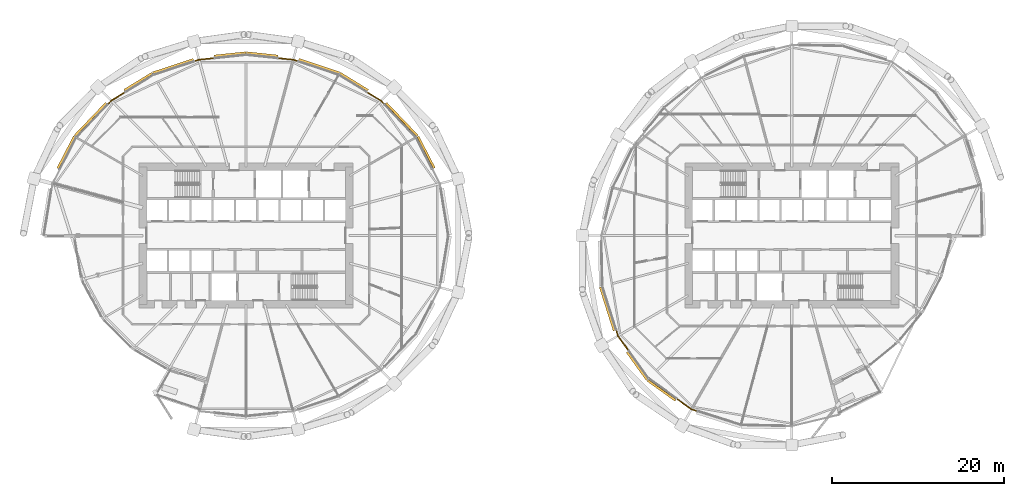
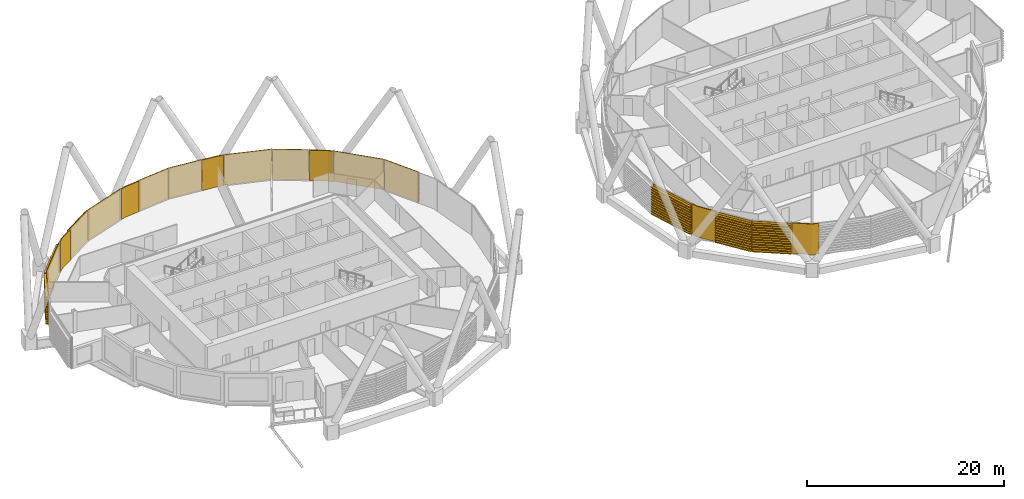
# One storey, part 32 of 36: 19 coverings.
"""IFC4 building model written with IfcOpenShell, lengths in metres."""

from ifc_helpers import new_model, si_unit, direction, frame, origin, place, context, subcontext, project, spatial, polyline, outline, extrude, material, layer, layer_set, material_profile, profile_set, type_object, element, save


model = new_model("IFC4")

# Units and contexts
model_context = context("Model", 3, precision=1e-05, world=origin(), true_north=direction((0.0, 1.0)))
body_context = subcontext(model_context, "Body", "Model", "MODEL_VIEW")
ifc_project = project(units=[si_unit("LENGTHUNIT", "METRE"), si_unit("AREAUNIT", "SQUARE_METRE"), si_unit("VOLUMEUNIT", "CUBIC_METRE"), si_unit("PLANEANGLEUNIT", "RADIAN"), si_unit("MASSUNIT", "GRAM", prefix="KILO")], contexts=[model_context])

# Site, building, storey
site_placement = place(None, origin())
site = spatial("IfcSite", under=ifc_project, at=site_placement, CompositionType="ELEMENT")
building_placement = place(site_placement, origin())
building = spatial("IfcBuilding", under=site, at=building_placement, Name="Rimbun Link Towers", CompositionType="ELEMENT")
storey_placement = place(building_placement, frame((0.0, 0.0, 64.199951171875)))
storey = spatial("IfcBuildingStorey", under=building, at=storey_placement, Name="L15", CompositionType="ELEMENT", Elevation=64.199951171875)

# Coverings
ifc_material_1 = material(Name="Terracotta", Category="masonry")
ifc_layer = layer(ifc_material_1, 0.1201171875)
ifc_layer_set = layer_set([ifc_layer], Name="LINK PIER terracotta cladding 120")
covering_type_1 = type_object("IfcCoveringType", Name="LINK PIER terracotta cladding 120", PredefinedType="CLADDING", material=ifc_layer_set)
covering_1_placement = place(storey_placement, origin())
element("IfcCovering", 1, at=covering_1_placement, inside=storey, type_object=covering_type_1, Name="LINK PIER cladding", PredefinedType="CLADDING", context=body_context, shape_type="SweptSolid", body=[
    extrude(outline(polyline([(-17.696044921875, 16.6259765625), (-16.102294921875, 15.647705078125), (-15.7080078125, 15.236083984375), (-15.621337890625, 15.319091796875), (-16.0263671875, 15.74169921875), (-17.63330078125, 16.728271484375), (-17.696044921875, 16.6259765625)])), origin(), (0.0, 0.0, 1.0), 3.800048828125),
])
covering_2_placement = place(storey_placement, origin())
element("IfcCovering", 2, at=covering_2_placement, inside=storey, type_object=covering_type_1, Name="LINK PIER cladding", PredefinedType="CLADDING", context=body_context, shape_type="SweptSolid", body=[
    extrude(outline(polyline([(-28.043701171875, 20.586669921875), (-26.283447265625, 20.4013671875), (-25.742431640625, 20.221923828125), (-25.70458984375, 20.3359375), (-26.258056640625, 20.519287109375), (-28.03125, 20.7060546875), (-28.043701171875, 20.586669921875)])), origin(), (0.0, 0.0, 1.0), 3.800048828125),
])
covering_3_placement = place(storey_placement, origin())
element("IfcCovering", 3, at=covering_3_placement, inside=storey, type_object=covering_type_1, Name="LINK PIER cladding", PredefinedType="CLADDING", context=body_context, shape_type="SweptSolid", body=[
    extrude(outline(polyline([(-37.757568359375, 20.221923828125), (-37.216552734375, 20.4013671875), (-35.456298828125, 20.586669921875), (-35.46875, 20.7060546875), (-37.241943359375, 20.519287109375), (-37.79541015625, 20.3359375), (-37.757568359375, 20.221923828125)])), origin(), (0.0, 0.0, 1.0), 3.800048828125),
])
covering_4_placement = place(storey_placement, origin())
element("IfcCovering", 4, at=covering_4_placement, inside=storey, type_object=covering_type_1, Name="LINK PIER cladding", PredefinedType="CLADDING", context=body_context, shape_type="SweptSolid", body=[
    extrude(outline(polyline([(-47.7919921875, 15.236083984375), (-47.397705078125, 15.647705078125), (-45.803955078125, 16.6259765625), (-45.86669921875, 16.728271484375), (-47.4736328125, 15.74169921875), (-47.878662109375, 15.319091796875), (-47.7919921875, 15.236083984375)])), origin(), (0.0, 0.0, 1.0), 3.800048828125),
])
covering_5_placement = place(storey_placement, origin())
element("IfcCovering", 5, at=covering_5_placement, inside=storey, type_object=covering_type_1, Name="LINK PIER cladding", PredefinedType="CLADDING", context=body_context, shape_type="SweptSolid", body=[
    extrude(outline(polyline([(12.810546875, -13.370849609375), (11.574462890625, -11.648193359375), (11.371337890625, -11.009765625), (11.257080078125, -11.046142578125), (11.4658203125, -11.702880859375), (12.712890625, -13.440673828125), (12.810546875, -13.370849609375)])), origin(), (0.0, 0.0, 1.0), 3.800048828125),
])
covering_6_placement = place(storey_placement, origin())
element("IfcCovering", 6, at=covering_6_placement, inside=storey, type_object=covering_type_1, Name="LINK PIER cladding", PredefinedType="CLADDING", context=body_context, shape_type="SweptSolid", body=[
    extrude(outline(polyline([(20.740234375, -20.378662109375), (20.101806640625, -20.175537109375), (18.419921875, -18.96875), (18.349853515625, -19.066162109375), (20.047119140625, -20.2841796875), (20.703857421875, -20.492919921875), (20.740234375, -20.378662109375)])), origin(), (0.0, 0.0, 1.0), 3.800048828125),
])
ifc_material_2 = material(Name="Terracotta", Category="masonry")
ifc_material_profile = material_profile(ifc_material_2, outline(polyline([(0.123046875, 0.0), (0.1630859375, 0.0), (0.1630859375, 0.10009765625), (0.423095703125, 0.10009765625), (0.423095703125, 0.219970703125), (0.1630859375, 0.219970703125), (0.1630859375, 0.39990234375), (0.423095703125, 0.39990234375), (0.423095703125, 0.52001953125), (0.1630859375, 0.52001953125), (0.1630859375, 0.699951171875), (0.423095703125, 0.699951171875), (0.423095703125, 0.820068359375), (0.1630859375, 0.820068359375), (0.1630859375, 1.0), (0.423095703125, 1.0), (0.423095703125, 1.1201171875), (0.1630859375, 1.1201171875), (0.1630859375, 1.300048828125), (0.423095703125, 1.300048828125), (0.423095703125, 1.419921875), (0.1630859375, 1.419921875), (0.1630859375, 1.60009765625), (0.423095703125, 1.60009765625), (0.423095703125, 1.719970703125), (0.1630859375, 1.719970703125), (0.1630859375, 1.89990234375), (0.423095703125, 1.89990234375), (0.423095703125, 2.02001953125), (0.1630859375, 2.02001953125), (0.1630859375, 2.199951171875), (0.423095703125, 2.199951171875), (0.423095703125, 2.320068359375), (0.1630859375, 2.320068359375), (0.1630859375, 2.5), (0.423095703125, 2.5), (0.423095703125, 2.6201171875), (0.1630859375, 2.6201171875), (0.1630859375, 2.800048828125), (0.423095703125, 2.800048828125), (0.423095703125, 2.919921875), (0.1630859375, 2.919921875), (0.1630859375, 3.10009765625), (0.423095703125, 3.10009765625), (0.423095703125, 3.219970703125), (0.1630859375, 3.219970703125), (0.1630859375, 3.39990234375), (0.423095703125, 3.39990234375), (0.423095703125, 3.52001953125), (0.1630859375, 3.52001953125), (0.1630859375, 3.800048828125), (0.123046875, 3.800048828125), (0.123046875, 0.0)])), Name="BAGUETTE 120X300")
ifc_profile_set = profile_set([ifc_material_profile], Name="Terracotta")
covering_type_2 = type_object("IfcCoveringType", Name="TERRACOTTA BAGUETTE 120X300 H3800", PredefinedType="CLADDING", material=ifc_profile_set)
covering_7_placement = place(storey_placement, frame((-12.02099609375, 11.390380859375, 0.0), z_axis=(0.459543354424, -0.888155338556, 0.0), x_axis=(0.888155338556, 0.459543354424, 0.0)))
element("IfcCovering", 7, at=covering_7_placement, inside=storey, type_object=covering_type_2, Name="TERRACOTTA BAGUETTE", PredefinedType="CLADDING", context=body_context, shape_type="SweptSolid", body=[
    extrude(outline(polyline([(0.123046875, 0.0), (0.1630859375, 0.0), (0.1630859375, 0.10009765625), (0.423095703125, 0.10009765625), (0.423095703125, 0.219970703125), (0.1630859375, 0.219970703125), (0.1630859375, 0.39990234375), (0.423095703125, 0.39990234375), (0.423095703125, 0.52001953125), (0.1630859375, 0.52001953125), (0.1630859375, 0.699951171875), (0.423095703125, 0.699951171875), (0.423095703125, 0.820068359375), (0.1630859375, 0.820068359375), (0.1630859375, 1.0), (0.423095703125, 1.0), (0.423095703125, 1.1201171875), (0.1630859375, 1.1201171875), (0.1630859375, 1.300048828125), (0.423095703125, 1.300048828125), (0.423095703125, 1.419921875), (0.1630859375, 1.419921875), (0.1630859375, 1.60009765625), (0.423095703125, 1.60009765625), (0.423095703125, 1.719970703125), (0.1630859375, 1.719970703125), (0.1630859375, 1.89990234375), (0.423095703125, 1.89990234375), (0.423095703125, 2.02001953125), (0.1630859375, 2.02001953125), (0.1630859375, 2.199951171875), (0.423095703125, 2.199951171875), (0.423095703125, 2.320068359375), (0.1630859375, 2.320068359375), (0.1630859375, 2.5), (0.423095703125, 2.5), (0.423095703125, 2.6201171875), (0.1630859375, 2.6201171875), (0.1630859375, 2.800048828125), (0.423095703125, 2.800048828125), (0.423095703125, 2.919921875), (0.1630859375, 2.919921875), (0.1630859375, 3.10009765625), (0.423095703125, 3.10009765625), (0.423095703125, 3.219970703125), (0.1630859375, 3.219970703125), (0.1630859375, 3.39990234375), (0.423095703125, 3.39990234375), (0.423095703125, 3.52001953125), (0.1630859375, 3.52001953125), (0.1630859375, 3.800048828125), (0.123046875, 3.800048828125), (0.123046875, 0.0)])), origin(), (0.0, 0.0, 1.0), 4.135986328125),
])
covering_8_placement = place(storey_placement, frame((-15.687255859375, 15.214599609375, 0.0), z_axis=(0.6920414756, -0.721857739482, 0.0), x_axis=(0.721857739482, 0.6920414756, 0.0)))
element("IfcCovering", 8, at=covering_8_placement, inside=storey, type_object=covering_type_2, Name="TERRACOTTA BAGUETTE", PredefinedType="CLADDING", context=body_context, shape_type="SweptSolid", body=[
    extrude(outline(polyline([(0.123046875, 0.0), (0.1630859375, 0.0), (0.1630859375, 0.10009765625), (0.423095703125, 0.10009765625), (0.423095703125, 0.219970703125), (0.1630859375, 0.219970703125), (0.1630859375, 0.39990234375), (0.423095703125, 0.39990234375), (0.423095703125, 0.52001953125), (0.1630859375, 0.52001953125), (0.1630859375, 0.699951171875), (0.423095703125, 0.699951171875), (0.423095703125, 0.820068359375), (0.1630859375, 0.820068359375), (0.1630859375, 1.0), (0.423095703125, 1.0), (0.423095703125, 1.1201171875), (0.1630859375, 1.1201171875), (0.1630859375, 1.300048828125), (0.423095703125, 1.300048828125), (0.423095703125, 1.419921875), (0.1630859375, 1.419921875), (0.1630859375, 1.60009765625), (0.423095703125, 1.60009765625), (0.423095703125, 1.719970703125), (0.1630859375, 1.719970703125), (0.1630859375, 1.89990234375), (0.423095703125, 1.89990234375), (0.423095703125, 2.02001953125), (0.1630859375, 2.02001953125), (0.1630859375, 2.199951171875), (0.423095703125, 2.199951171875), (0.423095703125, 2.320068359375), (0.1630859375, 2.320068359375), (0.1630859375, 2.5), (0.423095703125, 2.5), (0.423095703125, 2.6201171875), (0.1630859375, 2.6201171875), (0.1630859375, 2.800048828125), (0.423095703125, 2.800048828125), (0.423095703125, 2.919921875), (0.1630859375, 2.919921875), (0.1630859375, 3.10009765625), (0.423095703125, 3.10009765625), (0.423095703125, 3.219970703125), (0.1630859375, 3.219970703125), (0.1630859375, 3.39990234375), (0.423095703125, 3.39990234375), (0.423095703125, 3.52001953125), (0.1630859375, 3.52001953125), (0.1630859375, 3.800048828125), (0.123046875, 3.800048828125), (0.123046875, 0.0)])), origin(), (0.0, 0.0, 1.0), 5.2978515625),
])
covering_9_placement = place(storey_placement, frame((-20.985107421875, 18.6455078125, 0.0), z_axis=(0.852211619155, -0.523197244046, 0.0), x_axis=(0.523197244046, 0.852211619155, 0.0)))
element("IfcCovering", 9, at=covering_9_placement, inside=storey, type_object=covering_type_2, Name="TERRACOTTA BAGUETTE", PredefinedType="CLADDING", context=body_context, shape_type="SweptSolid", body=[
    extrude(outline(polyline([(0.123046875, 0.0), (0.1630859375, 0.0), (0.1630859375, 0.10009765625), (0.423095703125, 0.10009765625), (0.423095703125, 0.219970703125), (0.1630859375, 0.219970703125), (0.1630859375, 0.39990234375), (0.423095703125, 0.39990234375), (0.423095703125, 0.52001953125), (0.1630859375, 0.52001953125), (0.1630859375, 0.699951171875), (0.423095703125, 0.699951171875), (0.423095703125, 0.820068359375), (0.1630859375, 0.820068359375), (0.1630859375, 1.0), (0.423095703125, 1.0), (0.423095703125, 1.1201171875), (0.1630859375, 1.1201171875), (0.1630859375, 1.300048828125), (0.423095703125, 1.300048828125), (0.423095703125, 1.419921875), (0.1630859375, 1.419921875), (0.1630859375, 1.60009765625), (0.423095703125, 1.60009765625), (0.423095703125, 1.719970703125), (0.1630859375, 1.719970703125), (0.1630859375, 1.89990234375), (0.423095703125, 1.89990234375), (0.423095703125, 2.02001953125), (0.1630859375, 2.02001953125), (0.1630859375, 2.199951171875), (0.423095703125, 2.199951171875), (0.423095703125, 2.320068359375), (0.1630859375, 2.320068359375), (0.1630859375, 2.5), (0.423095703125, 2.5), (0.423095703125, 2.6201171875), (0.1630859375, 2.6201171875), (0.1630859375, 2.800048828125), (0.423095703125, 2.800048828125), (0.423095703125, 2.919921875), (0.1630859375, 2.919921875), (0.1630859375, 3.10009765625), (0.423095703125, 3.10009765625), (0.423095703125, 3.219970703125), (0.1630859375, 3.219970703125), (0.1630859375, 3.39990234375), (0.423095703125, 3.39990234375), (0.423095703125, 3.52001953125), (0.1630859375, 3.52001953125), (0.1630859375, 3.800048828125), (0.123046875, 3.800048828125), (0.123046875, 0.0)])), origin(), (0.0, 0.0, 1.0), 3.82958984375),
])
covering_10_placement = place(storey_placement, frame((-25.7138671875, 20.212646484375, 0.0), z_axis=(0.949230755565, -0.314580629871, 0.0), x_axis=(0.314580629871, 0.949230755565, 0.0)))
element("IfcCovering", 10, at=covering_10_placement, inside=storey, type_object=covering_type_2, Name="TERRACOTTA BAGUETTE", PredefinedType="CLADDING", context=body_context, shape_type="SweptSolid", body=[
    extrude(outline(polyline([(0.123046875, 0.0), (0.1630859375, 0.0), (0.1630859375, 0.10009765625), (0.423095703125, 0.10009765625), (0.423095703125, 0.219970703125), (0.1630859375, 0.219970703125), (0.1630859375, 0.39990234375), (0.423095703125, 0.39990234375), (0.423095703125, 0.52001953125), (0.1630859375, 0.52001953125), (0.1630859375, 0.699951171875), (0.423095703125, 0.699951171875), (0.423095703125, 0.820068359375), (0.1630859375, 0.820068359375), (0.1630859375, 1.0), (0.423095703125, 1.0), (0.423095703125, 1.1201171875), (0.1630859375, 1.1201171875), (0.1630859375, 1.300048828125), (0.423095703125, 1.300048828125), (0.423095703125, 1.419921875), (0.1630859375, 1.419921875), (0.1630859375, 1.60009765625), (0.423095703125, 1.60009765625), (0.423095703125, 1.719970703125), (0.1630859375, 1.719970703125), (0.1630859375, 1.89990234375), (0.423095703125, 1.89990234375), (0.423095703125, 2.02001953125), (0.1630859375, 2.02001953125), (0.1630859375, 2.199951171875), (0.423095703125, 2.199951171875), (0.423095703125, 2.320068359375), (0.1630859375, 2.320068359375), (0.1630859375, 2.5), (0.423095703125, 2.5), (0.423095703125, 2.6201171875), (0.1630859375, 2.6201171875), (0.1630859375, 2.800048828125), (0.423095703125, 2.800048828125), (0.423095703125, 2.919921875), (0.1630859375, 2.919921875), (0.1630859375, 3.10009765625), (0.423095703125, 3.10009765625), (0.423095703125, 3.219970703125), (0.1630859375, 3.219970703125), (0.1630859375, 3.39990234375), (0.423095703125, 3.39990234375), (0.423095703125, 3.52001953125), (0.1630859375, 3.52001953125), (0.1630859375, 3.800048828125), (0.123046875, 3.800048828125), (0.123046875, 0.0)])), origin(), (0.0, 0.0, 1.0), 4.981689453125),
])
for number, where, z_axis, x_axis, name in (
    (11, (-31.75, 20.97705078125, 0.0), (0.994499661573, -0.104739787719, 0.0), (0.104739787719, 0.994499661573, 0.0), "TERRACOTTA BAGUETTE"),
    (12, (-35.426513671875, 20.58984375, 0.0), (0.994499661573, 0.104739787719, 0.0), (-0.104739787719, 0.994499661573, 0.0), "TERRACOTTA BAGUETTE"),
):
    element("IfcCovering", number, at=place(storey_placement, frame(where, z_axis=z_axis, x_axis=x_axis)), inside=storey, type_object=covering_type_2, Name=name, PredefinedType="CLADDING", context=body_context, shape_type="SweptSolid", body=[
        extrude(outline(polyline([(0.123046875, 0.0), (0.1630859375, 0.0), (0.1630859375, 0.10009765625), (0.423095703125, 0.10009765625), (0.423095703125, 0.219970703125), (0.1630859375, 0.219970703125), (0.1630859375, 0.39990234375), (0.423095703125, 0.39990234375), (0.423095703125, 0.52001953125), (0.1630859375, 0.52001953125), (0.1630859375, 0.699951171875), (0.423095703125, 0.699951171875), (0.423095703125, 0.820068359375), (0.1630859375, 0.820068359375), (0.1630859375, 1.0), (0.423095703125, 1.0), (0.423095703125, 1.1201171875), (0.1630859375, 1.1201171875), (0.1630859375, 1.300048828125), (0.423095703125, 1.300048828125), (0.423095703125, 1.419921875), (0.1630859375, 1.419921875), (0.1630859375, 1.60009765625), (0.423095703125, 1.60009765625), (0.423095703125, 1.719970703125), (0.1630859375, 1.719970703125), (0.1630859375, 1.89990234375), (0.423095703125, 1.89990234375), (0.423095703125, 2.02001953125), (0.1630859375, 2.02001953125), (0.1630859375, 2.199951171875), (0.423095703125, 2.199951171875), (0.423095703125, 2.320068359375), (0.1630859375, 2.320068359375), (0.1630859375, 2.5), (0.423095703125, 2.5), (0.423095703125, 2.6201171875), (0.1630859375, 2.6201171875), (0.1630859375, 2.800048828125), (0.423095703125, 2.800048828125), (0.423095703125, 2.919921875), (0.1630859375, 2.919921875), (0.1630859375, 3.10009765625), (0.423095703125, 3.10009765625), (0.423095703125, 3.219970703125), (0.1630859375, 3.219970703125), (0.1630859375, 3.39990234375), (0.423095703125, 3.39990234375), (0.423095703125, 3.52001953125), (0.1630859375, 3.52001953125), (0.1630859375, 3.800048828125), (0.123046875, 3.800048828125), (0.123046875, 0.0)])), origin(), (0.0, 0.0, 1.0), 3.69677734375),
    ])
covering_11_placement = place(storey_placement, frame((-42.514892578125, 18.6455078125, 0.0), z_axis=(0.949230755565, 0.314580629871, 0.0), x_axis=(-0.314580629871, 0.949230755565, 0.0)))
element("IfcCovering", 13, at=covering_11_placement, inside=storey, type_object=covering_type_2, Name="TERRACOTTA BAGUETTE", PredefinedType="CLADDING", context=body_context, shape_type="SweptSolid", body=[
    extrude(outline(polyline([(0.123046875, 0.0), (0.1630859375, 0.0), (0.1630859375, 0.10009765625), (0.423095703125, 0.10009765625), (0.423095703125, 0.219970703125), (0.1630859375, 0.219970703125), (0.1630859375, 0.39990234375), (0.423095703125, 0.39990234375), (0.423095703125, 0.52001953125), (0.1630859375, 0.52001953125), (0.1630859375, 0.699951171875), (0.423095703125, 0.699951171875), (0.423095703125, 0.820068359375), (0.1630859375, 0.820068359375), (0.1630859375, 1.0), (0.423095703125, 1.0), (0.423095703125, 1.1201171875), (0.1630859375, 1.1201171875), (0.1630859375, 1.300048828125), (0.423095703125, 1.300048828125), (0.423095703125, 1.419921875), (0.1630859375, 1.419921875), (0.1630859375, 1.60009765625), (0.423095703125, 1.60009765625), (0.423095703125, 1.719970703125), (0.1630859375, 1.719970703125), (0.1630859375, 1.89990234375), (0.423095703125, 1.89990234375), (0.423095703125, 2.02001953125), (0.1630859375, 2.02001953125), (0.1630859375, 2.199951171875), (0.423095703125, 2.199951171875), (0.423095703125, 2.320068359375), (0.1630859375, 2.320068359375), (0.1630859375, 2.5), (0.423095703125, 2.5), (0.423095703125, 2.6201171875), (0.1630859375, 2.6201171875), (0.1630859375, 2.800048828125), (0.423095703125, 2.800048828125), (0.423095703125, 2.919921875), (0.1630859375, 2.919921875), (0.1630859375, 3.10009765625), (0.423095703125, 3.10009765625), (0.423095703125, 3.219970703125), (0.1630859375, 3.219970703125), (0.1630859375, 3.39990234375), (0.423095703125, 3.39990234375), (0.423095703125, 3.52001953125), (0.1630859375, 3.52001953125), (0.1630859375, 3.800048828125), (0.123046875, 3.800048828125), (0.123046875, 0.0)])), origin(), (0.0, 0.0, 1.0), 4.981689453125),
])
covering_12_placement = place(storey_placement, frame((-45.778564453125, 16.641845703125, 0.0), z_axis=(0.852211619155, 0.523197244046, 0.0), x_axis=(-0.523197244046, 0.852211619155, 0.0)))
element("IfcCovering", 14, at=covering_12_placement, inside=storey, type_object=covering_type_2, Name="TERRACOTTA BAGUETTE", PredefinedType="CLADDING", context=body_context, shape_type="SweptSolid", body=[
    extrude(outline(polyline([(0.123046875, 0.0), (0.1630859375, 0.0), (0.1630859375, 0.10009765625), (0.423095703125, 0.10009765625), (0.423095703125, 0.219970703125), (0.1630859375, 0.219970703125), (0.1630859375, 0.39990234375), (0.423095703125, 0.39990234375), (0.423095703125, 0.52001953125), (0.1630859375, 0.52001953125), (0.1630859375, 0.699951171875), (0.423095703125, 0.699951171875), (0.423095703125, 0.820068359375), (0.1630859375, 0.820068359375), (0.1630859375, 1.0), (0.423095703125, 1.0), (0.423095703125, 1.1201171875), (0.1630859375, 1.1201171875), (0.1630859375, 1.300048828125), (0.423095703125, 1.300048828125), (0.423095703125, 1.419921875), (0.1630859375, 1.419921875), (0.1630859375, 1.60009765625), (0.423095703125, 1.60009765625), (0.423095703125, 1.719970703125), (0.1630859375, 1.719970703125), (0.1630859375, 1.89990234375), (0.423095703125, 1.89990234375), (0.423095703125, 2.02001953125), (0.1630859375, 2.02001953125), (0.1630859375, 2.199951171875), (0.423095703125, 2.199951171875), (0.423095703125, 2.320068359375), (0.1630859375, 2.320068359375), (0.1630859375, 2.5), (0.423095703125, 2.5), (0.423095703125, 2.6201171875), (0.1630859375, 2.6201171875), (0.1630859375, 2.800048828125), (0.423095703125, 2.800048828125), (0.423095703125, 2.919921875), (0.1630859375, 2.919921875), (0.1630859375, 3.10009765625), (0.423095703125, 3.10009765625), (0.423095703125, 3.219970703125), (0.1630859375, 3.219970703125), (0.1630859375, 3.39990234375), (0.423095703125, 3.39990234375), (0.423095703125, 3.52001953125), (0.1630859375, 3.52001953125), (0.1630859375, 3.800048828125), (0.123046875, 3.800048828125), (0.123046875, 0.0)])), origin(), (0.0, 0.0, 1.0), 3.82958984375),
])
covering_13_placement = place(storey_placement, frame((-51.47900390625, 11.390380859375, 0.0), z_axis=(0.6920414756, 0.721857739482, 0.0), x_axis=(-0.721857739482, 0.6920414756, 0.0)))
element("IfcCovering", 15, at=covering_13_placement, inside=storey, type_object=covering_type_2, Name="TERRACOTTA BAGUETTE", PredefinedType="CLADDING", context=body_context, shape_type="SweptSolid", body=[
    extrude(outline(polyline([(0.123046875, 0.0), (0.1630859375, 0.0), (0.1630859375, 0.10009765625), (0.423095703125, 0.10009765625), (0.423095703125, 0.219970703125), (0.1630859375, 0.219970703125), (0.1630859375, 0.39990234375), (0.423095703125, 0.39990234375), (0.423095703125, 0.52001953125), (0.1630859375, 0.52001953125), (0.1630859375, 0.699951171875), (0.423095703125, 0.699951171875), (0.423095703125, 0.820068359375), (0.1630859375, 0.820068359375), (0.1630859375, 1.0), (0.423095703125, 1.0), (0.423095703125, 1.1201171875), (0.1630859375, 1.1201171875), (0.1630859375, 1.300048828125), (0.423095703125, 1.300048828125), (0.423095703125, 1.419921875), (0.1630859375, 1.419921875), (0.1630859375, 1.60009765625), (0.423095703125, 1.60009765625), (0.423095703125, 1.719970703125), (0.1630859375, 1.719970703125), (0.1630859375, 1.89990234375), (0.423095703125, 1.89990234375), (0.423095703125, 2.02001953125), (0.1630859375, 2.02001953125), (0.1630859375, 2.199951171875), (0.423095703125, 2.199951171875), (0.423095703125, 2.320068359375), (0.1630859375, 2.320068359375), (0.1630859375, 2.5), (0.423095703125, 2.5), (0.423095703125, 2.6201171875), (0.1630859375, 2.6201171875), (0.1630859375, 2.800048828125), (0.423095703125, 2.800048828125), (0.423095703125, 2.919921875), (0.1630859375, 2.919921875), (0.1630859375, 3.10009765625), (0.423095703125, 3.10009765625), (0.423095703125, 3.219970703125), (0.1630859375, 3.219970703125), (0.1630859375, 3.39990234375), (0.423095703125, 3.39990234375), (0.423095703125, 3.52001953125), (0.1630859375, 3.52001953125), (0.1630859375, 3.800048828125), (0.123046875, 3.800048828125), (0.123046875, 0.0)])), origin(), (0.0, 0.0, 1.0), 5.2978515625),
])
covering_14_placement = place(storey_placement, frame((-53.402587890625, 7.672607421875, 0.0), z_axis=(0.459535569323, 0.888159366627, 0.0), x_axis=(-0.888159366627, 0.459535569323, 0.0)))
element("IfcCovering", 16, at=covering_14_placement, inside=storey, type_object=covering_type_2, Name="TERRACOTTA BAGUETTE", PredefinedType="CLADDING", context=body_context, shape_type="SweptSolid", body=[
    extrude(outline(polyline([(0.123046875, 0.0), (0.1630859375, 0.0), (0.1630859375, 0.10009765625), (0.423095703125, 0.10009765625), (0.423095703125, 0.219970703125), (0.1630859375, 0.219970703125), (0.1630859375, 0.39990234375), (0.423095703125, 0.39990234375), (0.423095703125, 0.52001953125), (0.1630859375, 0.52001953125), (0.1630859375, 0.699951171875), (0.423095703125, 0.699951171875), (0.423095703125, 0.820068359375), (0.1630859375, 0.820068359375), (0.1630859375, 1.0), (0.423095703125, 1.0), (0.423095703125, 1.1201171875), (0.1630859375, 1.1201171875), (0.1630859375, 1.300048828125), (0.423095703125, 1.300048828125), (0.423095703125, 1.419921875), (0.1630859375, 1.419921875), (0.1630859375, 1.60009765625), (0.423095703125, 1.60009765625), (0.423095703125, 1.719970703125), (0.1630859375, 1.719970703125), (0.1630859375, 1.89990234375), (0.423095703125, 1.89990234375), (0.423095703125, 2.02001953125), (0.1630859375, 2.02001953125), (0.1630859375, 2.199951171875), (0.423095703125, 2.199951171875), (0.423095703125, 2.320068359375), (0.1630859375, 2.320068359375), (0.1630859375, 2.5), (0.423095703125, 2.5), (0.423095703125, 2.6201171875), (0.1630859375, 2.6201171875), (0.1630859375, 2.800048828125), (0.423095703125, 2.800048828125), (0.423095703125, 2.919921875), (0.1630859375, 2.919921875), (0.1630859375, 3.10009765625), (0.423095703125, 3.10009765625), (0.423095703125, 3.219970703125), (0.1630859375, 3.219970703125), (0.1630859375, 3.39990234375), (0.423095703125, 3.39990234375), (0.423095703125, 3.52001953125), (0.1630859375, 3.52001953125), (0.1630859375, 3.800048828125), (0.123046875, 3.800048828125), (0.123046875, 0.0)])), origin(), (0.0, 0.0, 1.0), 4.18603515625),
])
covering_15_placement = place(storey_placement, frame((11.3623046875, -10.981201171875, 0.0), z_axis=(-0.303075233978, 0.952966632443, 0.0), x_axis=(-0.952966632443, -0.303075233978, 0.0)))
element("IfcCovering", 17, at=covering_15_placement, inside=storey, type_object=covering_type_2, Name="TERRACOTTA BAGUETTE", PredefinedType="CLADDING", context=body_context, shape_type="SweptSolid", body=[
    extrude(outline(polyline([(0.123046875, 0.0), (0.1630859375, 0.0), (0.1630859375, 0.10009765625), (0.423095703125, 0.10009765625), (0.423095703125, 0.219970703125), (0.1630859375, 0.219970703125), (0.1630859375, 0.39990234375), (0.423095703125, 0.39990234375), (0.423095703125, 0.52001953125), (0.1630859375, 0.52001953125), (0.1630859375, 0.699951171875), (0.423095703125, 0.699951171875), (0.423095703125, 0.820068359375), (0.1630859375, 0.820068359375), (0.1630859375, 1.0), (0.423095703125, 1.0), (0.423095703125, 1.1201171875), (0.1630859375, 1.1201171875), (0.1630859375, 1.300048828125), (0.423095703125, 1.300048828125), (0.423095703125, 1.419921875), (0.1630859375, 1.419921875), (0.1630859375, 1.60009765625), (0.423095703125, 1.60009765625), (0.423095703125, 1.719970703125), (0.1630859375, 1.719970703125), (0.1630859375, 1.89990234375), (0.423095703125, 1.89990234375), (0.423095703125, 2.02001953125), (0.1630859375, 2.02001953125), (0.1630859375, 2.199951171875), (0.423095703125, 2.199951171875), (0.423095703125, 2.320068359375), (0.1630859375, 2.320068359375), (0.1630859375, 2.5), (0.423095703125, 2.5), (0.423095703125, 2.6201171875), (0.1630859375, 2.6201171875), (0.1630859375, 2.800048828125), (0.423095703125, 2.800048828125), (0.423095703125, 2.919921875), (0.1630859375, 2.919921875), (0.1630859375, 3.10009765625), (0.423095703125, 3.10009765625), (0.423095703125, 3.219970703125), (0.1630859375, 3.219970703125), (0.1630859375, 3.39990234375), (0.423095703125, 3.39990234375), (0.423095703125, 3.52001953125), (0.1630859375, 3.52001953125), (0.1630859375, 3.800048828125), (0.123046875, 3.800048828125), (0.123046875, 0.0)])), origin(), (0.0, 0.0, 1.0), 5.3359375),
])
covering_16_placement = place(storey_placement, frame((15.136962890625, -16.613037109375, 0.0), z_axis=(-0.582991918252, 0.812477952472, 0.0), x_axis=(-0.812477952472, -0.582991918252, 0.0)))
element("IfcCovering", 18, at=covering_16_placement, inside=storey, type_object=covering_type_2, Name="TERRACOTTA BAGUETTE", PredefinedType="CLADDING", context=body_context, shape_type="SweptSolid", body=[
    extrude(outline(polyline([(0.123046875, 0.0), (0.1630859375, 0.0), (0.1630859375, 0.10009765625), (0.423095703125, 0.10009765625), (0.423095703125, 0.219970703125), (0.1630859375, 0.219970703125), (0.1630859375, 0.39990234375), (0.423095703125, 0.39990234375), (0.423095703125, 0.52001953125), (0.1630859375, 0.52001953125), (0.1630859375, 0.699951171875), (0.423095703125, 0.699951171875), (0.423095703125, 0.820068359375), (0.1630859375, 0.820068359375), (0.1630859375, 1.0), (0.423095703125, 1.0), (0.423095703125, 1.1201171875), (0.1630859375, 1.1201171875), (0.1630859375, 1.300048828125), (0.423095703125, 1.300048828125), (0.423095703125, 1.419921875), (0.1630859375, 1.419921875), (0.1630859375, 1.60009765625), (0.423095703125, 1.60009765625), (0.423095703125, 1.719970703125), (0.1630859375, 1.719970703125), (0.1630859375, 1.89990234375), (0.423095703125, 1.89990234375), (0.423095703125, 2.02001953125), (0.1630859375, 2.02001953125), (0.1630859375, 2.199951171875), (0.423095703125, 2.199951171875), (0.423095703125, 2.320068359375), (0.1630859375, 2.320068359375), (0.1630859375, 2.5), (0.423095703125, 2.5), (0.423095703125, 2.6201171875), (0.1630859375, 2.6201171875), (0.1630859375, 2.800048828125), (0.423095703125, 2.800048828125), (0.423095703125, 2.919921875), (0.1630859375, 2.919921875), (0.1630859375, 3.10009765625), (0.423095703125, 3.10009765625), (0.423095703125, 3.219970703125), (0.1630859375, 3.219970703125), (0.1630859375, 3.39990234375), (0.423095703125, 3.39990234375), (0.423095703125, 3.52001953125), (0.1630859375, 3.52001953125), (0.1630859375, 3.800048828125), (0.123046875, 3.800048828125), (0.123046875, 0.0)])), origin(), (0.0, 0.0, 1.0), 3.960693359375),
])
covering_17_placement = place(storey_placement, frame((18.3955078125, -18.951171875, 0.0), z_axis=(-0.812481209702, 0.582987378835, 0.0), x_axis=(-0.582987378835, -0.812481209702, 0.0)))
element("IfcCovering", 19, at=covering_17_placement, inside=storey, type_object=covering_type_2, Name="TERRACOTTA BAGUETTE", PredefinedType="CLADDING", context=body_context, shape_type="SweptSolid", body=[
    extrude(outline(polyline([(0.123046875, 0.0), (0.1630859375, 0.0), (0.1630859375, 0.10009765625), (0.423095703125, 0.10009765625), (0.423095703125, 0.219970703125), (0.1630859375, 0.219970703125), (0.1630859375, 0.39990234375), (0.423095703125, 0.39990234375), (0.423095703125, 0.52001953125), (0.1630859375, 0.52001953125), (0.1630859375, 0.699951171875), (0.423095703125, 0.699951171875), (0.423095703125, 0.820068359375), (0.1630859375, 0.820068359375), (0.1630859375, 1.0), (0.423095703125, 1.0), (0.423095703125, 1.1201171875), (0.1630859375, 1.1201171875), (0.1630859375, 1.300048828125), (0.423095703125, 1.300048828125), (0.423095703125, 1.419921875), (0.1630859375, 1.419921875), (0.1630859375, 1.60009765625), (0.423095703125, 1.60009765625), (0.423095703125, 1.719970703125), (0.1630859375, 1.719970703125), (0.1630859375, 1.89990234375), (0.423095703125, 1.89990234375), (0.423095703125, 2.02001953125), (0.1630859375, 2.02001953125), (0.1630859375, 2.199951171875), (0.423095703125, 2.199951171875), (0.423095703125, 2.320068359375), (0.1630859375, 2.320068359375), (0.1630859375, 2.5), (0.423095703125, 2.5), (0.423095703125, 2.6201171875), (0.1630859375, 2.6201171875), (0.1630859375, 2.800048828125), (0.423095703125, 2.800048828125), (0.423095703125, 2.919921875), (0.1630859375, 2.919921875), (0.1630859375, 3.10009765625), (0.423095703125, 3.10009765625), (0.423095703125, 3.219970703125), (0.1630859375, 3.219970703125), (0.1630859375, 3.39990234375), (0.423095703125, 3.39990234375), (0.423095703125, 3.52001953125), (0.1630859375, 3.52001953125), (0.1630859375, 3.800048828125), (0.123046875, 3.800048828125), (0.123046875, 0.0)])), origin(), (0.0, 0.0, 1.0), 4.010498046875),
])

save(model, "model.ifc")
